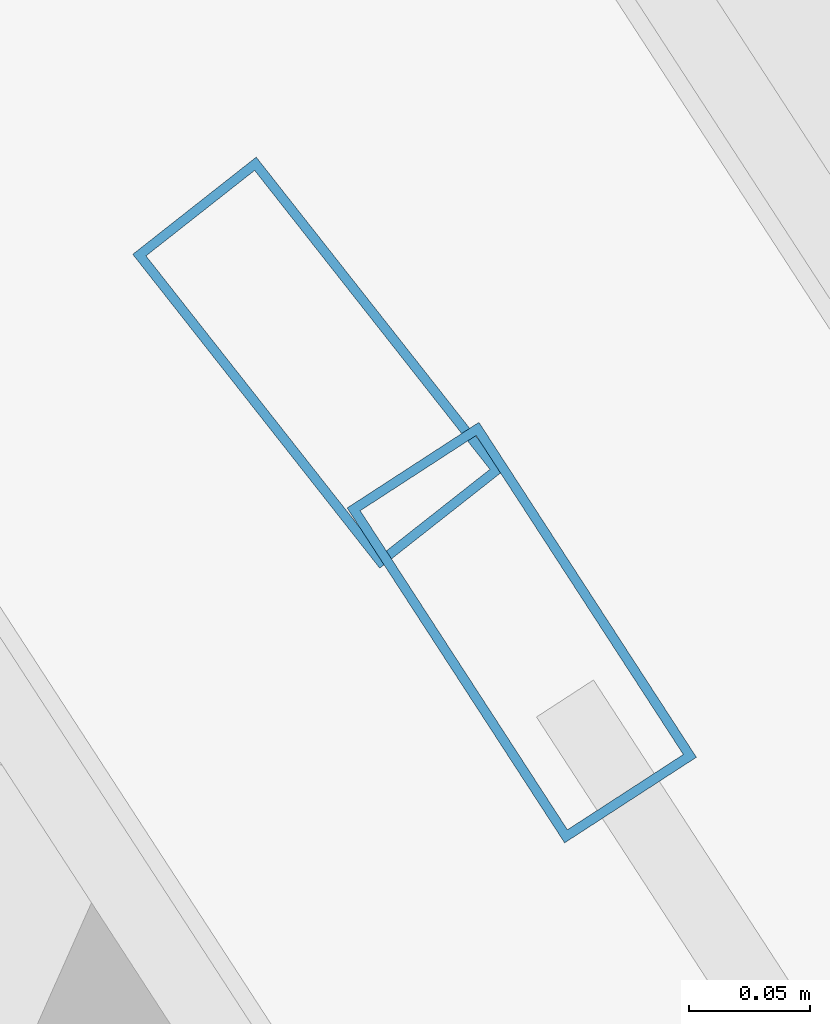
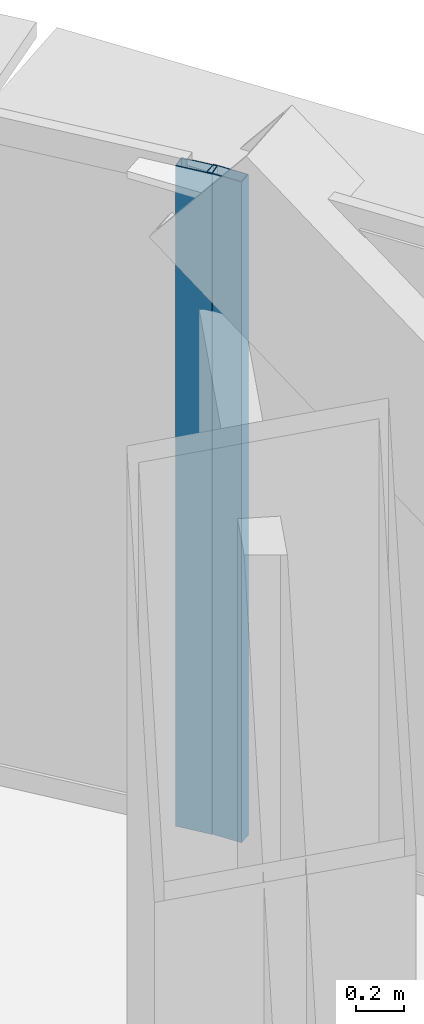
# One storey, part 19 of 38: 2 members, 2 elements without a shape of their own.
"""IFC4 building model written with IfcOpenShell, lengths in metres."""

import ifcopenshell
import ifcopenshell.guid

model = None  # the IFC model being written
_history = None  # IfcOwnerHistory: only IFC2X3 demands one
_inside = {}  # id of a spatial element -> (the spatial element, [elements in it])
_under = {}  # id of a project, library or spatial element -> (it, [spatial elements below it])
_declared = {}  # id of a project -> (the project, [libraries it declares])
_typed = {}  # id of a type object -> (the type object, [elements of that type])
_made_of = {}  # id of a material, layer set ... -> (it, [elements and type objects made of it])


def new_model(schema):
    """Start an empty IFC model of exactly this schema.

    Asked for "IFC4X3", IfcOpenShell would pick the latest addendum, in which some entities
    have other attributes; the version numbers below select the first issue.
    IFC2X3 requires an IfcOwnerHistory on every rooted entity: one is made here for all.
    """
    global model, _history
    if schema == "IFC4X3":
        model = ifcopenshell.file(schema_version=(4, 3, 0, 0))
    else:
        model = ifcopenshell.file(schema=schema)
    _inside.clear()
    _under.clear()
    _declared.clear()
    _typed.clear()
    _made_of.clear()
    _history = None
    if model.schema == "IFC2X3":
        org = make("IfcOrganization", Name="unknown")
        user = make(
            "IfcPersonAndOrganization",
            ThePerson=make("IfcPerson", FamilyName="unknown"),
            TheOrganization=org,
        )
        app = make(
            "IfcApplication",
            ApplicationDeveloper=org,
            Version="unknown",
            ApplicationFullName="unknown",
            ApplicationIdentifier="unknown",
        )
        _history = make(
            "IfcOwnerHistory",
            OwningUser=user,
            OwningApplication=app,
            ChangeAction="ADDED",
            CreationDate=0,
        )
    return model


def make(cls, **values):
    """One entity of the class cls with the attributes given. An attribute that is None is left unset."""
    return model.create_entity(
        cls, **{name: value for name, value in values.items() if value is not None}
    )


def rooted(cls, **values):
    """An entity with a GlobalId (a new one), such as an element, a storey or a relation."""
    return make(cls, GlobalId=ifcopenshell.guid.new(), OwnerHistory=_history, **values)


def si_unit(unit_type, name, prefix=None):
    """IfcSIUnit, for example si_unit("LENGTHUNIT", "METRE", prefix="MILLI")."""
    return make("IfcSIUnit", UnitType=unit_type, Prefix=prefix, Name=name)


def assignment(units):
    """IfcUnitAssignment: the units of a project."""
    return None if units is None else make("IfcUnitAssignment", Units=units)


def point(xyz):
    """IfcCartesianPoint."""
    return None if xyz is None else make("IfcCartesianPoint", Coordinates=xyz)


def direction(xyz):
    """IfcDirection."""
    return None if xyz is None else make("IfcDirection", DirectionRatios=xyz)


def frame(location, z_axis=None, x_axis=None):
    """IfcAxis2Placement3D, a coordinate frame: its origin and axes. An axis left out is left unset."""
    return make(
        "IfcAxis2Placement3D",
        Location=point(location),
        Axis=direction(z_axis),
        RefDirection=direction(x_axis),
    )


def frame_2d(location, x_axis=None):
    """IfcAxis2Placement2D, a coordinate frame in the plane: its origin and x axis."""
    return make(
        "IfcAxis2Placement2D", Location=point(location), RefDirection=direction(x_axis)
    )


def origin():
    """The frame at (0, 0, 0) with its axes left unset."""
    return frame((0.0, 0.0, 0.0))


def origin_2d():
    """The frame at (0, 0) in the plane with its x axis left unset."""
    return frame_2d((0.0, 0.0))


def place(relative_to, where):
    """IfcLocalPlacement: puts the frame where relative to a parent placement (None: the world)."""
    return make(
        "IfcLocalPlacement", PlacementRelTo=relative_to, RelativePlacement=where
    )


def context(
    kind, dimensions, precision=None, world=None, true_north=None, identifier=None
):
    """IfcGeometricRepresentationContext, for example the 3D "Model" context."""
    return make(
        "IfcGeometricRepresentationContext",
        ContextIdentifier=identifier,
        ContextType=kind,
        CoordinateSpaceDimension=dimensions,
        Precision=precision,
        WorldCoordinateSystem=world,
        TrueNorth=true_north,
    )


def subcontext(parent, identifier, kind, view, scale=None):
    """IfcGeometricRepresentationSubContext, for example "Body" below "Model"."""
    return make(
        "IfcGeometricRepresentationSubContext",
        ContextIdentifier=identifier,
        ContextType=kind,
        ParentContext=parent,
        TargetScale=scale,
        TargetView=view,
    )


def project(units=None, contexts=None):
    """IfcProject with its units and contexts."""
    return rooted(
        "IfcProject",
        Name="project",
        RepresentationContexts=contexts,
        UnitsInContext=assignment(units),
    )


def spatial(cls, under=None, at=None, **own):
    """A site, building, storey or space (cls), placed at a placement, below another one or the project."""
    s = rooted(cls, ObjectPlacement=at, **own)
    if under is not None:
        _under.setdefault(under.id(), (under, []))[1].append(s)
    return s


def profile(cls, at=None, kind="AREA", **sizes):
    """A parametric profile (cls). Its sizes go by their IFC names, for example OverallWidth=200.0."""
    return make(cls, ProfileType=kind, Position=at, **sizes)


def hollow_rectangle(**sizes):
    """IfcRectangleHollowProfileDef."""
    return profile("IfcRectangleHollowProfileDef", **sizes)


def extrude(swept, where, along, depth):
    """IfcExtrudedAreaSolid: the profile swept, set in the frame where, extruded along a direction by depth."""
    return make(
        "IfcExtrudedAreaSolid",
        SweptArea=swept,
        Position=where,
        ExtrudedDirection=direction(along),
        Depth=depth,
    )


def shape(context_of_items, identifier, shape_type, items):
    """IfcShapeRepresentation: the items that make up one representation, for example the "Body"."""
    return make(
        "IfcShapeRepresentation",
        ContextOfItems=context_of_items,
        RepresentationIdentifier=identifier,
        RepresentationType=shape_type,
        Items=items,
    )


def source(mapping_origin, context_of_items, identifier, shape_type, items):
    """IfcRepresentationMap: a shape defined once, which mapped items show again and again."""
    return make(
        "IfcRepresentationMap",
        MappingOrigin=mapping_origin,
        MappedRepresentation=shape(context_of_items, identifier, shape_type, items),
    )


def transform(
    local_origin,
    x_axis=None,
    y_axis=None,
    z_axis=None,
    scale=None,
    scale2=None,
    scale3=None,
    uniform=True,
):
    """IfcCartesianTransformationOperator3D, or its non-uniform kind. x_axis, y_axis, z_axis: its Axis1, 2, 3."""
    if uniform:
        return make(
            "IfcCartesianTransformationOperator3D",
            Axis1=direction(x_axis),
            Axis2=direction(y_axis),
            LocalOrigin=point(local_origin),
            Scale=scale,
            Axis3=direction(z_axis),
        )
    return make(
        "IfcCartesianTransformationOperator3DnonUniform",
        Axis1=direction(x_axis),
        Axis2=direction(y_axis),
        LocalOrigin=point(local_origin),
        Scale=scale,
        Axis3=direction(z_axis),
        Scale2=scale2,
        Scale3=scale3,
    )


def mapped(mapping_source, mapping_target):
    """IfcMappedItem: shows the shape of a source again, moved by a transform."""
    return make(
        "IfcMappedItem", MappingSource=mapping_source, MappingTarget=mapping_target
    )


def material(Name=None, Category=None):
    """IfcMaterial."""
    return make("IfcMaterial", Name=Name, Category=Category)


def layer(
    of_material, thickness, ventilated=None, Name=None, Category=None, Priority=None
):
    """IfcMaterialLayer: one layer of a wall or slab, of a material (None: an air gap)."""
    return make(
        "IfcMaterialLayer",
        Material=of_material,
        LayerThickness=thickness,
        IsVentilated=ventilated,
        Name=Name,
        Category=Category,
        Priority=Priority,
    )


def layer_set(layers, Name=None):
    """IfcMaterialLayerSet."""
    return make("IfcMaterialLayerSet", MaterialLayers=layers, LayerSetName=Name)


def material_profile(
    of_material, cross_section, Name=None, Category=None, Priority=None
):
    """IfcMaterialProfile: a cross section and its material."""
    return make(
        "IfcMaterialProfile",
        Name=Name,
        Material=of_material,
        Profile=cross_section,
        Priority=Priority,
        Category=Category,
    )


def profile_set(profiles, Name=None, composite=None):
    """IfcMaterialProfileSet."""
    return make(
        "IfcMaterialProfileSet",
        Name=Name,
        MaterialProfiles=profiles,
        CompositeProfile=composite,
    )


def made_of(thing, what):
    """Note that an element or type object is made of a material, layer set ...; save() writes the relation."""
    if what is not None:
        _made_of.setdefault(what.id(), (what, []))[1].append(thing)
    return thing


def type_object(cls, material=None, **own):
    """A type object (cls), such as IfcWallType, which elements share."""
    return made_of(rooted(cls, **own), material)


def element(
    cls,
    number,
    at=None,
    inside=None,
    cuts=None,
    type_object=None,
    material=None,
    context=None,
    identifier="Body",
    shape_type=None,
    held_by="IfcProductDefinitionShape",
    body=None,
    shapes=None,
    **own,
):
    """One element of the class cls, such as IfcWall. Its Tag is "e" and its number.

    at: its placement. inside: the storey or other place that contains it. cuts: it is an
    opening in that element (IfcRelVoidsElement). A single representation is given by context,
    identifier, shape_type and body (its items); several are given by shapes. held_by: the class
    of the entity that holds the representations. save() writes the other relations.
    """
    e = rooted(cls, Tag="e%d" % number, ObjectPlacement=at, **own)
    if body is not None:
        shapes = [shape(context, identifier, shape_type, body)]
    if shapes is not None:
        e.Representation = make(held_by, Representations=shapes)
    if inside is not None:
        _inside.setdefault(inside.id(), (inside, []))[1].append(e)
    if cuts is not None:
        rooted(
            "IfcRelVoidsElement", RelatingBuildingElement=cuts, RelatedOpeningElement=e
        )
    if type_object is not None:
        _typed.setdefault(type_object.id(), (type_object, []))[1].append(e)
    return made_of(e, material)


def aggregate(whole, parts):
    """IfcRelAggregates: a whole, such as a stair, and the parts it consists of."""
    return rooted("IfcRelAggregates", RelatingObject=whole, RelatedObjects=parts)


def save(model, path):
    """Write the relations noted so far, then the file.

    IfcRelAggregates (storeys below a building ...), IfcRelContainedInSpatialStructure (elements
    in a storey), IfcRelDefinesByType, IfcRelAssociatesMaterial and IfcRelDeclares: one each for
    every whole, place, type object, material and project.
    """
    for whole, parts in _under.values():
        aggregate(whole, parts)
    for where, things in _inside.values():
        rooted(
            "IfcRelContainedInSpatialStructure",
            RelatedElements=things,
            RelatingStructure=where,
        )
    for kind, things in _typed.values():
        rooted("IfcRelDefinesByType", RelatedObjects=things, RelatingType=kind)
    for what, things in _made_of.values():
        rooted("IfcRelAssociatesMaterial", RelatedObjects=things, RelatingMaterial=what)
    for by, libraries in _declared.values():
        rooted("IfcRelDeclares", RelatingContext=by, RelatedDefinitions=libraries)
    model.write(path)


model = new_model("IFC4")

# Units and contexts
model_context = context("Model", 3, precision=1e-05, world=origin(), true_north=direction((0.0, 1.0)))
body_context = subcontext(model_context, "Body", "Model", "MODEL_VIEW")
ifc_project = project(units=[si_unit("LENGTHUNIT", "METRE"), si_unit("AREAUNIT", "SQUARE_METRE"), si_unit("VOLUMEUNIT", "CUBIC_METRE"), si_unit("PLANEANGLEUNIT", "RADIAN"), si_unit("MASSUNIT", "GRAM", prefix="KILO"), si_unit("THERMODYNAMICTEMPERATUREUNIT", "KELVIN"), si_unit("POWERUNIT", "WATT")], contexts=[model_context])

# Site, building, storey
site_placement = place(None, origin())
site = spatial("IfcSite", under=ifc_project, at=site_placement, CompositionType="ELEMENT")
building_placement = place(site_placement, origin())
building = spatial("IfcBuilding", under=site, at=building_placement, Name="Yunzhuo Pagoda Commons", CompositionType="ELEMENT")
storey_placement = place(building_placement, frame((0.0, 0.0, 30.39990234375)))
storey = spatial("IfcBuildingStorey", under=building, at=storey_placement, Name="L07", CompositionType="ELEMENT", Elevation=30.39990234375)

# Curtain wall, member
ifc_material = material(Name="Anodized aluminium 6063-T6", Category="aluminium")
ifc_layer = layer(ifc_material, 0.1650390625)
ifc_layer_set = layer_set([ifc_layer], Name="Anodized aluminium 6063-T6")
curtain_wall_type = type_object("IfcCurtainWallType", Name="CW-LOW Low-Zone Ribbon Curtain Wall", PredefinedType="NOTDEFINED", material=ifc_layer_set)
curtain_wall_1_placement = place(storey_placement, origin())
curtain_wall_1 = element("IfcCurtainWall", 1, at=curtain_wall_1_placement, inside=storey, type_object=curtain_wall_type, Name="L07 curtain wall CW-L07-F2B4", PredefinedType="NOTDEFINED")
ifc_material_profile = material_profile(ifc_material, hollow_rectangle(XDim=0.06494140625, YDim=0.1650390625, WallThickness=0.00390625, at=origin_2d()), Name="Anodized aluminium 6063-T6")
ifc_profile_set = profile_set([ifc_material_profile], Name="Anodized aluminium 6063-T6")
member_type = type_object("IfcMemberType", Name="CW-LOW-M Mullion RHS 165x65x4", PredefinedType="MULLION", material=ifc_profile_set)
shared_shape = source(origin(), body_context, "Body", "SweptSolid", [
    extrude(hollow_rectangle(XDim=0.06494140625, YDim=0.1650390625, WallThickness=0.00390625, at=origin_2d()), origin(), (0.0, 0.0, 1.0), 3.370361328125),
])
member_1_placement = place(storey_placement, frame((65.45703125, 72.84228515625, 0.0), z_axis=(0.0, 0.0, 1.0), x_axis=(-0.83865240069, -0.544667009114, 0.0)))
member_1 = element("IfcMember", 2, at=member_1_placement, type_object=member_type, Name="CW mullion 2", PredefinedType="MULLION", context=body_context, shape_type="MappedRepresentation", body=[
    mapped(shared_shape, transform((0.0, 0.0, 0.0), scale=1.0)),
])
aggregate(curtain_wall_1, [member_1])

curtain_wall_2_placement = place(storey_placement, origin())
curtain_wall_2 = element("IfcCurtainWall", 3, at=curtain_wall_2_placement, inside=storey, type_object=curtain_wall_type, Name="L07 curtain wall CW-L07-F2B5", PredefinedType="NOTDEFINED")
member_2_placement = place(storey_placement, frame((65.372802734375, 72.953857421875, 0.0), z_axis=(0.0, 0.0, 1.0), x_axis=(-0.785799632369, -0.618481153932, 0.0)))
member_2 = element("IfcMember", 4, at=member_2_placement, type_object=member_type, Name="CW mullion 1", PredefinedType="MULLION", context=body_context, shape_type="MappedRepresentation", body=[
    mapped(shared_shape, transform((0.0, 0.0, 0.0), scale=1.0)),
])
aggregate(curtain_wall_2, [member_2])

save(model, "model.ifc")
